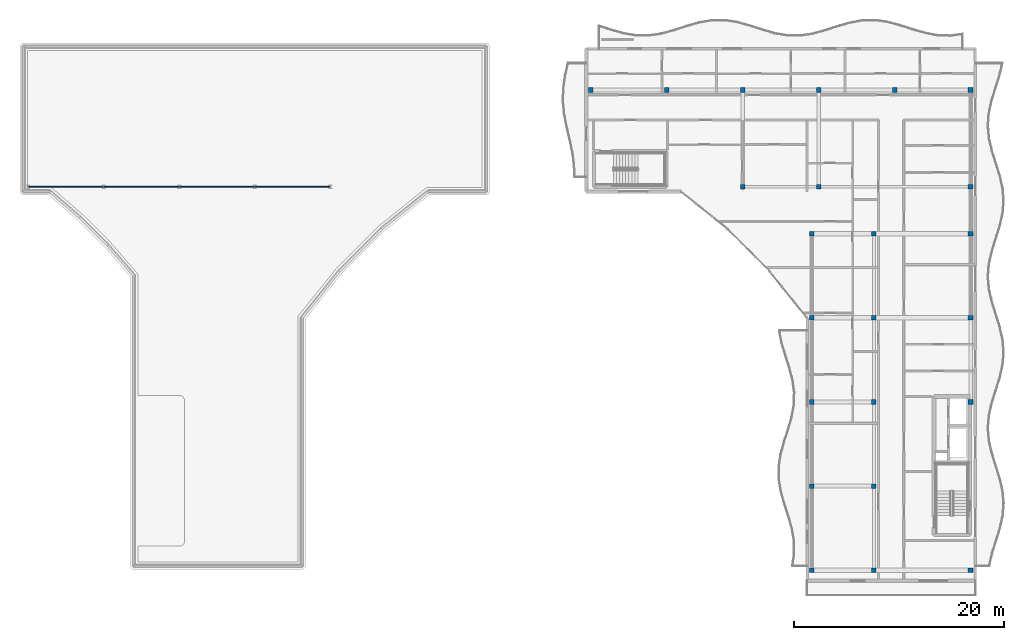
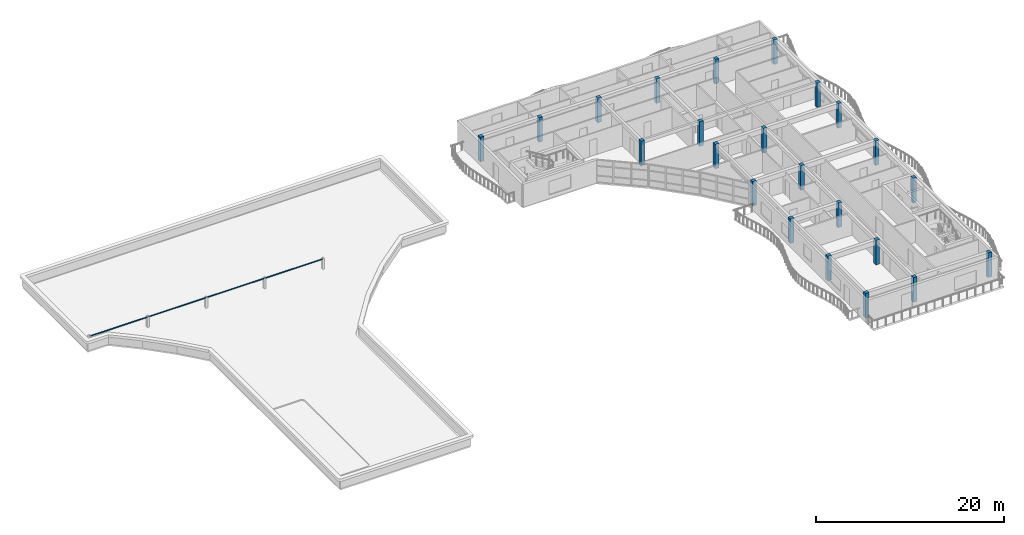
# One storey, part 2 of 18: 23 columns, 4 members.
"""IFC4 building model written with IfcOpenShell, lengths in metres."""

from ifc_helpers import new_model, si_unit, direction, frame, origin, origin_2d, place, context, subcontext, project, spatial, rectangle, hollow_rectangle, extrude, material, material_profile, profile_set, type_object, element, save


model = new_model("IFC4")

# Units and contexts
model_context = context("Model", 3, precision=1e-05, world=origin(), true_north=direction((0.0, 1.0)))
body_context = subcontext(model_context, "Body", "Model", "MODEL_VIEW")
ifc_project = project(units=[si_unit("LENGTHUNIT", "METRE"), si_unit("AREAUNIT", "SQUARE_METRE"), si_unit("VOLUMEUNIT", "CUBIC_METRE"), si_unit("PLANEANGLEUNIT", "RADIAN"), si_unit("MASSUNIT", "GRAM", prefix="KILO")], contexts=[model_context])

# Site, building, storey
site_placement = place(None, origin())
site = spatial("IfcSite", under=ifc_project, at=site_placement, CompositionType="ELEMENT")
building_placement = place(site_placement, origin())
building = spatial("IfcBuilding", under=site, at=building_placement, Name="Keldmere Railside Commons", CompositionType="ELEMENT")
storey_placement = place(building_placement, frame((0.0, 0.0, 39.360107421875)))
storey = spatial("IfcBuildingStorey", under=building, at=storey_placement, Name="L12", CompositionType="ELEMENT", Elevation=39.360107421875)

# Columns
ifc_material_1 = material(Name="Concrete H-35 (C35/45)", Category="concrete")
ifc_material_profile_1 = material_profile(ifc_material_1, rectangle(XDim=0.449951171875, YDim=0.449951171875, at=origin_2d()), Name="RC-450x450")
ifc_profile_set_1 = profile_set([ifc_material_profile_1], Name="Concrete H-35 (C35/45)")
column_type = type_object("IfcColumnType", Name="Top-Tier & Nursery RC Column 450x450", PredefinedType="COLUMN", material=ifc_profile_set_1)
for number, where, z_axis, x_axis, name in (
    (1, (147.449951171875, 109.64990234375, 0.0), (0.0, 0.0, 1.0), (1.0, 0.0, 0.0), "C-450 COL-L12-1385"),
    (2, (154.669921875, 109.64990234375, 0.0), (0.0, 0.0, 1.0), (1.0, 0.0, 0.0), "C-450 COL-L12-1437"),
    (3, (161.889892578125, 100.449951171875, 0.0), (0.0, 0.0, 1.0), (1.0, 0.0, 0.0), "C-450 COL-L12-1490"),
    (4, (161.889892578125, 109.64990234375, 0.0), (0.0, 0.0, 1.0), (1.0, 0.0, 0.0), "C-450 COL-L12-1506"),
    (5, (168.449951171875, 64.0, 0.0), (0.0, 0.0, 1.0), (1.0, 0.0, 0.0), "C-450 COL-L12-1566"),
    (6, (168.449951171875, 72.0, 0.0), (0.0, 0.0, 1.0), (1.0, 0.0, 0.0), "C-450 COL-L12-1580"),
    (7, (168.449951171875, 80.0, 0.0), (0.0, 0.0, 1.0), (1.0, 0.0, 0.0), "C-450 COL-L12-1595"),
    (8, (168.449951171875, 88.0, 0.0), (0.0, 0.0, 1.0), (1.0, 0.0, 0.0), "C-450 COL-L12-1610"),
    (9, (168.449951171875, 96.0, 0.0), (0.0, 0.0, 1.0), (1.0, 0.0, 0.0), "C-450 COL-L12-1625"),
    (10, (169.110107421875, 100.449951171875, 0.0), (0.0, 0.0, 1.0), (1.0, 0.0, 0.0), "C-450 COL-L12-1640"),
    (11, (169.110107421875, 109.64990234375, 0.0), (0.0, 0.0, 1.0), (1.0, 0.0, 0.0), "C-450 COL-L12-1656"),
    (12, (174.35009765625, 64.0, 0.0), (0.0, 0.0, 1.0), (1.0, 0.0, 0.0), "C-450 COL-L12-1692"),
    (13, (174.35009765625, 72.0, 0.0), (0.0, 0.0, 1.0), (1.0, 0.0, 0.0), "C-450 COL-L12-1706"),
    (14, (174.35009765625, 80.0, 0.0), (0.0, 0.0, 1.0), (1.0, 0.0, 0.0), "C-450 COL-L12-1721"),
    (15, (174.35009765625, 88.0, 0.0), (0.0, 0.0, 1.0), (1.0, 0.0, 0.0), "C-450 COL-L12-1736"),
    (16, (174.35009765625, 96.0, 0.0), (0.0, 0.0, 1.0), (1.0, 0.0, 0.0), "C-450 COL-L12-1751"),
    (17, (176.330078125, 109.64990234375, 0.0), (0.0, 0.0, 1.0), (1.0, 0.0, 0.0), "C-450 COL-L12-1784"),
    (18, (183.550048828125, 64.0, 0.0), (0.0, 0.0, 1.0), (1.0, 0.0, 0.0), "C-450 COL-L12-1824"),
    (19, (183.550048828125, 80.0, 0.0), (0.0, 0.0, 1.0), (1.0, 0.0, 0.0), "C-450 COL-L12-1838"),
    (20, (183.550048828125, 88.0, 0.0), (0.0, 0.0, 1.0), (1.0, 0.0, 0.0), "C-450 COL-L12-1853"),
    (21, (183.550048828125, 96.0, 0.0), (0.0, 0.0, 1.0), (1.0, 0.0, 0.0), "C-450 COL-L12-1868"),
    (22, (183.550048828125, 100.449951171875, 0.0), (0.0, 0.0, 1.0), (1.0, 0.0, 0.0), "C-450 COL-L12-1883"),
    (23, (183.550048828125, 109.64990234375, 0.0), (0.0, 0.0, 1.0), (1.0, 0.0, 0.0), "C-450 COL-L12-1899"),
):
    element("IfcColumn", number, at=place(storey_placement, frame(where, z_axis=z_axis, x_axis=x_axis)), inside=storey, type_object=column_type, Name=name, PredefinedType="COLUMN", context=body_context, shape_type="SweptSolid", body=[
        extrude(rectangle(XDim=0.449951171875, YDim=0.449951171875, at=origin_2d()), origin(), (0.0, 0.0, 1.0), 3.199951171875),
    ])

# Members
ifc_material_2 = material(Name="Steel F-24 (S235)", Category="steel")
ifc_material_profile_2 = material_profile(ifc_material_2, hollow_rectangle(XDim=0.080078125, YDim=0.1201171875, WallThickness=0.006103515625, at=origin_2d()), Name="RHS-120x80x6")
ifc_profile_set_2 = profile_set([ifc_material_profile_2], Name="Steel F-24 (S235)")
member_type = type_object("IfcMemberType", Name="Roof Garden Trellis Purlin RHS120x80", PredefinedType="PURLIN", material=ifc_profile_set_2)
member_1_placement = place(storey_placement, frame((93.955078125, 100.449951171875, 1.419921875), z_axis=(1.0, 0.0, 0.0), x_axis=(0.0, 1.0, 0.0)))
element("IfcMember", 24, at=member_1_placement, inside=storey, type_object=member_type, Name="TRL-1 MEM-RTRL-1061", PredefinedType="PURLIN", context=body_context, shape_type="SweptSolid", body=[
    extrude(hollow_rectangle(XDim=0.080078125, YDim=0.1201171875, WallThickness=0.006103515625, at=origin_2d()), origin(), (0.0, 0.0, 1.0), 7.1728515625),
])
member_2_placement = place(storey_placement, frame((101.137939453125, 100.449951171875, 1.419921875), z_axis=(1.0, 0.0, 0.0), x_axis=(0.0, 1.0, 0.0)))
element("IfcMember", 25, at=member_2_placement, inside=storey, type_object=member_type, Name="TRL-1 MEM-RTRL-1062", PredefinedType="PURLIN", context=body_context, shape_type="SweptSolid", body=[
    extrude(hollow_rectangle(XDim=0.080078125, YDim=0.1201171875, WallThickness=0.006103515625, at=origin_2d()), origin(), (0.0, 0.0, 1.0), 7.174072265625),
])
for number, where, z_axis, x_axis, name in (
    (26, (108.322021484375, 100.449951171875, 1.419921875), (1.0, 0.0, 0.0), (0.0, 1.0, 0.0), "TRL-1 MEM-RTRL-1063"),
    (27, (115.5048828125, 100.449951171875, 1.419921875), (1.0, 0.0, 0.0), (0.0, 1.0, 0.0), "TRL-1 MEM-RTRL-1064"),
):
    element("IfcMember", number, at=place(storey_placement, frame(where, z_axis=z_axis, x_axis=x_axis)), inside=storey, type_object=member_type, Name=name, PredefinedType="PURLIN", context=body_context, shape_type="SweptSolid", body=[
        extrude(hollow_rectangle(XDim=0.080078125, YDim=0.1201171875, WallThickness=0.006103515625, at=origin_2d()), origin(), (0.0, 0.0, 1.0), 7.173095703125),
    ])

save(model, "model.ifc")
